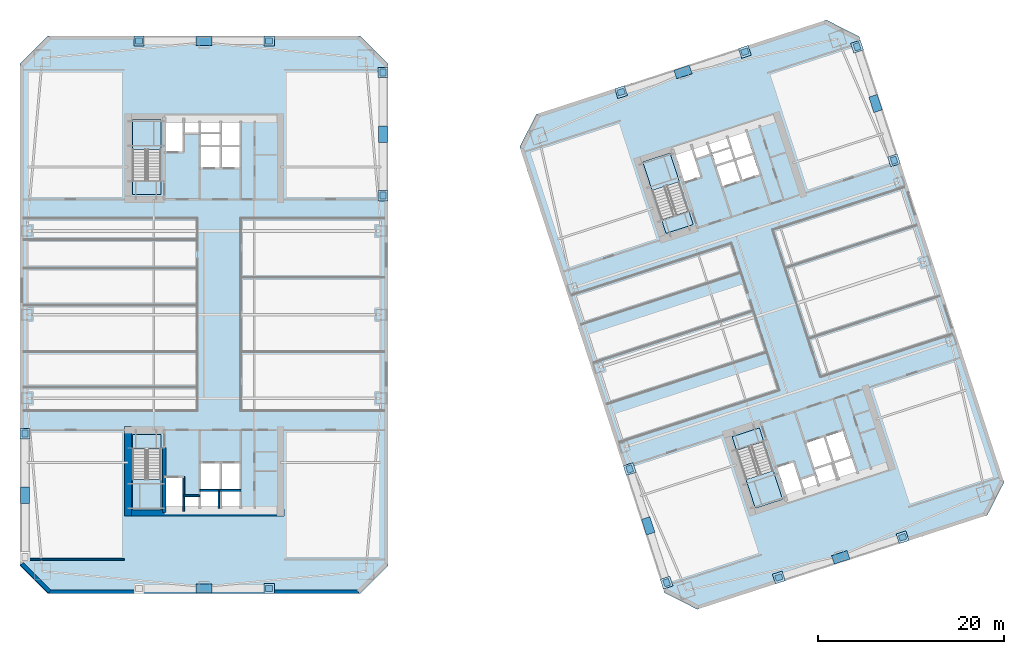
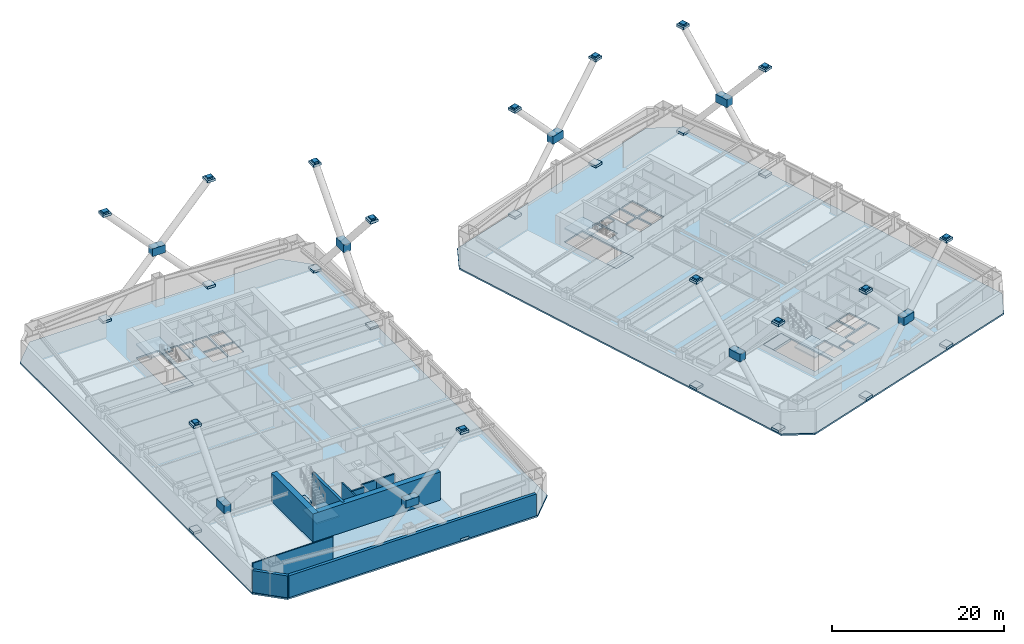
# One storey, part 3 of 18: 50 plates, 10 slabs, 10 walls, 4 elements without a shape of their own.
"""IFC4 building model written with IfcOpenShell, lengths in metres."""

from ifc_helpers import new_model, si_unit, direction, frame, frame_2d, origin, origin_2d, place, context, subcontext, project, spatial, polyline, rectangle, outline, extrude, material, layer, layer_set, type_object, element, aggregate, save


model = new_model("IFC4")

# Units and contexts
model_context = context("Model", 3, precision=1e-05, world=origin(), true_north=direction((0.0, 1.0)))
body_context = subcontext(model_context, "Body", "Model", "MODEL_VIEW")
ifc_project = project(units=[si_unit("LENGTHUNIT", "METRE"), si_unit("AREAUNIT", "SQUARE_METRE"), si_unit("VOLUMEUNIT", "CUBIC_METRE"), si_unit("PLANEANGLEUNIT", "RADIAN"), si_unit("MASSUNIT", "GRAM", prefix="KILO")], contexts=[model_context])

# Site, building, storey
site_placement = place(None, origin())
site = spatial("IfcSite", under=ifc_project, at=site_placement, CompositionType="ELEMENT")
building_placement = place(site_placement, origin())
building = spatial("IfcBuilding", under=site, at=building_placement, Name="Qiaolan Cultural Towers", CompositionType="ELEMENT")
storey_placement = place(building_placement, frame((0.0, 0.0, 42.0)))
storey = spatial("IfcBuildingStorey", under=building, at=storey_placement, Name="L09", CompositionType="ELEMENT", Elevation=42.0)

# Plates
ifc_material_1 = material(Name="Steel Q355B", Category="steel")
ifc_layer_1 = layer(ifc_material_1, 0.035888671875)
ifc_layer_set_1 = layer_set([ifc_layer_1], Name="Steel Q355B")
plate_type_1 = type_object("IfcPlateType", Name="PL-CONN-36", PredefinedType="USERDEFINED", material=ifc_layer_set_1)
for number, where, z_axis, x_axis, name in (
    (1, (10.75, 21.199951171875, 14.830078125), (0.0, 0.0, 1.0), (0.0, 1.0, 0.0), "L09 Brace End Connection Gusset Plate GP-02-0212"),
    (2, (49.25, 60.050048828125, 14.830078125), (0.0, 0.0, 1.0), (0.0, 1.0, 0.0), "L09 Brace End Connection Gusset Plate GP-02-0214"),
    (3, (49.25, 46.800048828125, 14.830078125), (0.0, 0.0, 1.0), (0.0, 1.0, 0.0), "L09 Brace End Connection Gusset Plate GP-02-0215"),
    (4, (37.0, 4.550048828125, 14.830078125), (0.0, 0.0, 1.0), (1.0, 0.0, 0.0), "L09 Brace End Connection Gusset Plate GP-02-0216"),
    (5, (37.0, 63.449951171875, 14.830078125), (0.0, 0.0, 1.0), (1.0, 0.0, 0.0), "L09 Brace End Connection Gusset Plate GP-02-0218"),
    (6, (23.0, 63.449951171875, 14.830078125), (0.0, 0.0, 1.0), (1.0, 0.0, 0.0), "L09 Brace End Connection Gusset Plate GP-02-0219"),
    (7, (75.78564453125, 17.394775390625, 14.830078125), (0.0, 0.0, 1.0), (-0.309016977776, 0.951056521689, 0.0), "L09 Brace End Connection Gusset Plate GP-02-0436"),
    (8, (79.75634765625, 5.173828125, 14.830078125), (0.0, 0.0, 1.0), (-0.309016977776, 0.951056521689, 0.0), "L09 Brace End Connection Gusset Plate GP-02-0437"),
    (9, (100.24365234375, 62.826171875, 14.830078125), (0.0, 0.0, 1.0), (-0.309016977776, 0.951056521689, 0.0), "L09 Brace End Connection Gusset Plate GP-02-0438"),
    (10, (104.21435546875, 50.605224609375, 14.830078125), (0.0, 0.0, 1.0), (-0.309016977776, 0.951056521689, 0.0), "L09 Brace End Connection Gusset Plate GP-02-0439"),
    (11, (105.139892578125, 10.056640625, 14.830078125), (0.0, 0.0, 1.0), (0.951056510902, 0.309017010974, 0.0), "L09 Brace End Connection Gusset Plate GP-02-0440"),
    (12, (91.8251953125, 5.73046875, 14.830078125), (0.0, 0.0, 1.0), (0.951056510902, 0.309017010974, 0.0), "L09 Brace End Connection Gusset Plate GP-02-0441"),
    (13, (88.1748046875, 62.26953125, 14.830078125), (0.0, 0.0, 1.0), (0.951056510902, 0.309017010974, 0.0), "L09 Brace End Connection Gusset Plate GP-02-0442"),
    (14, (74.860107421875, 57.943359375, 14.830078125), (0.0, 0.0, 1.0), (0.951056510902, 0.309017010974, 0.0), "L09 Brace End Connection Gusset Plate GP-02-0443"),
):
    element("IfcPlate", number, at=place(storey_placement, frame(where, z_axis=z_axis, x_axis=x_axis)), inside=storey, type_object=plate_type_1, Name=name, ObjectType="GUSSET_PLATE", PredefinedType="USERDEFINED", context=body_context, shape_type="SweptSolid", body=[
        extrude(rectangle(XDim=0.739990234375, YDim=0.6201171875, at=origin_2d()), origin(), (0.0, 0.0, 1.0), 0.739990234375),
    ])
ifc_material_2 = material(Name="Steel Q355B", Category="steel")
ifc_layer_2 = layer(ifc_material_2, 0.030029296875)
ifc_layer_set_2 = layer_set([ifc_layer_2], Name="Steel Q355B")
plate_type_2 = type_object("IfcPlateType", Name="PL-ENDCAP-30", PredefinedType="USERDEFINED", material=ifc_layer_set_2)
for number, where, z_axis, x_axis, name in (
    (15, (10.75, 21.199951171875, -0.025146484375), (0.0, 0.0, 1.0), (0.0, 1.0, 0.0), "Hollow Brace End Seal Cap Plate CP-01"),
    (16, (10.75, 21.199951171875, 15.02490234375), (0.0, 0.0, 1.0), (0.0, 1.0, 0.0), "Hollow Brace End Seal Cap Plate CP-01"),
    (17, (49.25, 46.800048828125, -0.025146484375), (0.0, 0.0, 1.0), (0.0, 1.0, 0.0), "Hollow Brace End Seal Cap Plate CP-01"),
    (18, (49.25, 60.050048828125, -0.025146484375), (0.0, 0.0, 1.0), (0.0, 1.0, 0.0), "Hollow Brace End Seal Cap Plate CP-01"),
    (19, (49.25, 46.800048828125, 15.02490234375), (0.0, 0.0, 1.0), (0.0, 1.0, 0.0), "Hollow Brace End Seal Cap Plate CP-01"),
    (20, (49.25, 60.050048828125, 15.02490234375), (0.0, 0.0, 1.0), (0.0, 1.0, 0.0), "Hollow Brace End Seal Cap Plate CP-01"),
    (21, (37.0, 4.550048828125, -0.025146484375), (0.0, 0.0, 1.0), (1.0, 0.0, 0.0), "Hollow Brace End Seal Cap Plate CP-01"),
    (22, (37.0, 4.550048828125, 15.02490234375), (0.0, 0.0, 1.0), (1.0, 0.0, 0.0), "Hollow Brace End Seal Cap Plate CP-01"),
    (23, (23.0, 63.449951171875, -0.025146484375), (0.0, 0.0, 1.0), (1.0, 0.0, 0.0), "Hollow Brace End Seal Cap Plate CP-01"),
    (24, (37.0, 63.449951171875, -0.025146484375), (0.0, 0.0, 1.0), (1.0, 0.0, 0.0), "Hollow Brace End Seal Cap Plate CP-01"),
    (25, (23.0, 63.449951171875, 15.02490234375), (0.0, 0.0, 1.0), (1.0, 0.0, 0.0), "Hollow Brace End Seal Cap Plate CP-01"),
    (26, (37.0, 63.449951171875, 15.02490234375), (0.0, 0.0, 1.0), (1.0, 0.0, 0.0), "Hollow Brace End Seal Cap Plate CP-01"),
    (27, (79.75634765625, 5.173828125, -0.025146484375), (0.0, 0.0, 1.0), (-0.309016994375, 0.951056516295, 0.0), "Hollow Brace End Seal Cap Plate CP-01"),
    (28, (75.78564453125, 17.394775390625, -0.025146484375), (0.0, 0.0, 1.0), (-0.309016994375, 0.951056516295, 0.0), "Hollow Brace End Seal Cap Plate CP-01"),
    (29, (79.75634765625, 5.173828125, 15.02490234375), (0.0, 0.0, 1.0), (-0.309016994375, 0.951056516295, 0.0), "Hollow Brace End Seal Cap Plate CP-01"),
    (30, (75.78564453125, 17.394775390625, 15.02490234375), (0.0, 0.0, 1.0), (-0.309016994375, 0.951056516295, 0.0), "Hollow Brace End Seal Cap Plate CP-01"),
    (31, (104.21435546875, 50.605224609375, -0.025146484375), (0.0, 0.0, 1.0), (-0.309016994375, 0.951056516295, 0.0), "Hollow Brace End Seal Cap Plate CP-01"),
    (32, (100.24365234375, 62.826171875, -0.025146484375), (0.0, 0.0, 1.0), (-0.309016994375, 0.951056516295, 0.0), "Hollow Brace End Seal Cap Plate CP-01"),
    (33, (104.21435546875, 50.605224609375, 15.02490234375), (0.0, 0.0, 1.0), (-0.309016994375, 0.951056516295, 0.0), "Hollow Brace End Seal Cap Plate CP-01"),
    (34, (100.24365234375, 62.826171875, 15.02490234375), (0.0, 0.0, 1.0), (-0.309016994375, 0.951056516295, 0.0), "Hollow Brace End Seal Cap Plate CP-01"),
    (35, (91.8251953125, 5.73046875, -0.025146484375), (0.0, 0.0, 1.0), (0.951056516295, 0.309016994375, 0.0), "Hollow Brace End Seal Cap Plate CP-01"),
    (36, (105.139892578125, 10.056640625, -0.025146484375), (0.0, 0.0, 1.0), (0.951056516295, 0.309016994375, 0.0), "Hollow Brace End Seal Cap Plate CP-01"),
    (37, (91.8251953125, 5.73046875, 15.02490234375), (0.0, 0.0, 1.0), (0.951056516295, 0.309016994375, 0.0), "Hollow Brace End Seal Cap Plate CP-01"),
    (38, (105.139892578125, 10.056640625, 15.02490234375), (0.0, 0.0, 1.0), (0.951056516295, 0.309016994375, 0.0), "Hollow Brace End Seal Cap Plate CP-01"),
    (39, (74.860107421875, 57.943359375, -0.025146484375), (0.0, 0.0, 1.0), (0.951056516295, 0.309016994375, 0.0), "Hollow Brace End Seal Cap Plate CP-01"),
    (40, (88.1748046875, 62.26953125, -0.025146484375), (0.0, 0.0, 1.0), (0.951056516295, 0.309016994375, 0.0), "Hollow Brace End Seal Cap Plate CP-01"),
    (41, (74.860107421875, 57.943359375, 15.02490234375), (0.0, 0.0, 1.0), (0.951056516295, 0.309016994375, 0.0), "Hollow Brace End Seal Cap Plate CP-01"),
    (42, (88.1748046875, 62.26953125, 15.02490234375), (0.0, 0.0, 1.0), (0.951056516295, 0.309016994375, 0.0), "Hollow Brace End Seal Cap Plate CP-01"),
):
    element("IfcPlate", number, at=place(storey_placement, frame(where, z_axis=z_axis, x_axis=x_axis)), inside=storey, type_object=plate_type_2, Name=name, ObjectType="BASE_PLATE", PredefinedType="USERDEFINED", context=body_context, shape_type="SweptSolid", body=[
        extrude(rectangle(XDim=1.10009765625, YDim=1.10009765625, at=origin_2d()), origin(), (0.0, 0.0, 1.0), 0.35009765625),
    ])
ifc_material_3 = material(Name="Steel Q390GJB", Category="steel")
ifc_layer_3 = layer(ifc_material_3, 0.0439453125)
ifc_layer_set_3 = layer_set([ifc_layer_3], Name="Steel Q390GJB")
plate_type_3 = type_object("IfcPlateType", Name="PL-NODE-ND02", PredefinedType="USERDEFINED", material=ifc_layer_set_3)
plate_1_placement = place(storey_placement, frame((77.77099609375, 11.2841796875, 7.125), z_axis=(0.0, 0.0, 1.0), x_axis=(-0.309016994375, 0.951056516295, 0.0)))
element("IfcPlate", 43, at=plate_1_placement, inside=storey, type_object=plate_type_3, Name="Perimeter Frame Gusset Node Assembly ND-02", ObjectType="GUSSET_PLATE", PredefinedType="USERDEFINED", context=body_context, shape_type="SweptSolid", body=[
    extrude(rectangle(XDim=1.760009765625, YDim=0.9599609375, at=origin_2d()), origin(), (0.0, 0.0, 1.0), 1.10009765625),
])
ifc_material_4 = material(Name="Steel Q390GJB", Category="steel")
ifc_layer_4 = layer(ifc_material_4, 0.0458984375)
ifc_layer_set_4 = layer_set([ifc_layer_4], Name="Steel Q390GJB")
plate_type_4 = type_object("IfcPlateType", Name="PL-NODE-ND03", PredefinedType="USERDEFINED", material=ifc_layer_set_4)
plate_2_placement = place(storey_placement, frame((102.22900390625, 56.7158203125, 7.125), z_axis=(0.0, 0.0, 1.0), x_axis=(-0.309016994375, 0.951056516295, 0.0)))
element("IfcPlate", 44, at=plate_2_placement, inside=storey, type_object=plate_type_4, Name="Perimeter Frame Gusset Node Assembly ND-03", ObjectType="GUSSET_PLATE", PredefinedType="USERDEFINED", context=body_context, shape_type="SweptSolid", body=[
    extrude(rectangle(XDim=1.760009765625, YDim=0.9599609375, at=origin_2d()), origin(), (0.0, 0.0, 1.0), 1.10009765625),
])
ifc_material_5 = material(Name="Steel Q390GJB", Category="steel")
ifc_layer_5 = layer(ifc_material_5, 0.0400390625)
ifc_layer_set_5 = layer_set([ifc_layer_5], Name="Steel Q390GJB")
plate_type_5 = type_object("IfcPlateType", Name="PL-NODE-ND04", PredefinedType="USERDEFINED", material=ifc_layer_set_5)
plate_3_placement = place(storey_placement, frame((98.482421875, 7.8935546875, 7.125), z_axis=(0.0, 0.0, 1.0), x_axis=(0.951056516295, 0.309016994375, 0.0)))
element("IfcPlate", 45, at=plate_3_placement, inside=storey, type_object=plate_type_5, Name="Perimeter Frame Gusset Node Assembly ND-04", ObjectType="GUSSET_PLATE", PredefinedType="USERDEFINED", context=body_context, shape_type="SweptSolid", body=[
    extrude(rectangle(XDim=1.760009765625, YDim=0.9599609375, at=origin_2d()), origin(), (0.0, 0.0, 1.0), 1.10009765625),
])
ifc_material_6 = material(Name="Steel Q390GJB", Category="steel")
ifc_layer_6 = layer(ifc_material_6, 0.0419921875)
ifc_layer_set_6 = layer_set([ifc_layer_6], Name="Steel Q390GJB")
plate_type_6 = type_object("IfcPlateType", Name="PL-NODE-ND05", PredefinedType="USERDEFINED", material=ifc_layer_set_6)
plate_4_placement = place(storey_placement, frame((81.517578125, 60.1064453125, 7.125), z_axis=(0.0, 0.0, 1.0), x_axis=(0.951056516295, 0.309016994375, 0.0)))
element("IfcPlate", 46, at=plate_4_placement, inside=storey, type_object=plate_type_6, Name="Perimeter Frame Gusset Node Assembly ND-05", ObjectType="GUSSET_PLATE", PredefinedType="USERDEFINED", context=body_context, shape_type="SweptSolid", body=[
    extrude(rectangle(XDim=1.760009765625, YDim=0.9599609375, at=origin_2d()), origin(), (0.0, 0.0, 1.0), 1.10009765625),
])
ifc_material_7 = material(Name="Steel Q390GJB", Category="steel")
ifc_layer_7 = layer(ifc_material_7, 0.0439453125)
ifc_layer_set_7 = layer_set([ifc_layer_7], Name="Steel Q390GJB")
plate_type_7 = type_object("IfcPlateType", Name="PL-NODE-ND06", PredefinedType="USERDEFINED", material=ifc_layer_set_7)
plate_5_placement = place(storey_placement, frame((10.75, 14.574951171875, 7.125), z_axis=(0.0, 0.0, 1.0), x_axis=(0.0, 1.0, 0.0)))
element("IfcPlate", 47, at=plate_5_placement, inside=storey, type_object=plate_type_7, Name="Perimeter Frame Gusset Node Assembly ND-06", ObjectType="GUSSET_PLATE", PredefinedType="USERDEFINED", context=body_context, shape_type="SweptSolid", body=[
    extrude(rectangle(XDim=1.760009765625, YDim=0.9599609375, at=origin_2d()), origin(), (0.0, 0.0, 1.0), 1.10009765625),
])
ifc_material_8 = material(Name="Steel Q390GJB", Category="steel")
ifc_layer_8 = layer(ifc_material_8, 0.0458984375)
ifc_layer_set_8 = layer_set([ifc_layer_8], Name="Steel Q390GJB")
plate_type_8 = type_object("IfcPlateType", Name="PL-NODE-ND07", PredefinedType="USERDEFINED", material=ifc_layer_set_8)
plate_6_placement = place(storey_placement, frame((49.25, 53.425048828125, 7.125), z_axis=(0.0, 0.0, 1.0), x_axis=(0.0, 1.0, 0.0)))
element("IfcPlate", 48, at=plate_6_placement, inside=storey, type_object=plate_type_8, Name="Perimeter Frame Gusset Node Assembly ND-07", ObjectType="GUSSET_PLATE", PredefinedType="USERDEFINED", context=body_context, shape_type="SweptSolid", body=[
    extrude(rectangle(XDim=1.760009765625, YDim=0.9599609375, at=origin_2d()), origin(), (0.0, 0.0, 1.0), 1.10009765625),
])
ifc_material_9 = material(Name="Steel Q390GJB", Category="steel")
ifc_layer_9 = layer(ifc_material_9, 0.0400390625)
ifc_layer_set_9 = layer_set([ifc_layer_9], Name="Steel Q390GJB")
plate_type_9 = type_object("IfcPlateType", Name="PL-NODE-ND08", PredefinedType="USERDEFINED", material=ifc_layer_set_9)
plate_7_placement = place(storey_placement, frame((30.0, 4.550048828125, 7.125), z_axis=(0.0, 0.0, 1.0), x_axis=(1.0, 0.0, 0.0)))
element("IfcPlate", 49, at=plate_7_placement, inside=storey, type_object=plate_type_9, Name="Perimeter Frame Gusset Node Assembly ND-08", ObjectType="GUSSET_PLATE", PredefinedType="USERDEFINED", context=body_context, shape_type="SweptSolid", body=[
    extrude(rectangle(XDim=1.760009765625, YDim=0.9599609375, at=origin_2d()), origin(), (0.0, 0.0, 1.0), 1.10009765625),
])
ifc_material_10 = material(Name="Steel Q390GJB", Category="steel")
ifc_layer_10 = layer(ifc_material_10, 0.0419921875)
ifc_layer_set_10 = layer_set([ifc_layer_10], Name="Steel Q390GJB")
plate_type_10 = type_object("IfcPlateType", Name="PL-NODE-ND09", PredefinedType="USERDEFINED", material=ifc_layer_set_10)
plate_8_placement = place(storey_placement, frame((30.0, 63.449951171875, 7.125), z_axis=(0.0, 0.0, 1.0), x_axis=(1.0, 0.0, 0.0)))
element("IfcPlate", 50, at=plate_8_placement, inside=storey, type_object=plate_type_10, Name="Perimeter Frame Gusset Node Assembly ND-09", ObjectType="GUSSET_PLATE", PredefinedType="USERDEFINED", context=body_context, shape_type="SweptSolid", body=[
    extrude(rectangle(XDim=1.760009765625, YDim=0.9599609375, at=origin_2d()), origin(), (0.0, 0.0, 1.0), 1.10009765625),
])

# Stair, slab
ifc_material_11 = material(Name="Concrete C45", Category="concrete")
stair_type = type_object("IfcStairType", Name="STR-CORE-1500", PredefinedType="HALF_TURN_STAIR", material=ifc_material_11)
stair_1_placement = place(storey_placement, origin())
stair_1 = element("IfcStair", 51, at=stair_1_placement, inside=storey, type_object=stair_type, Name="L09 Smokeproof Exit Stair ST-W1", PredefinedType="HALF_TURN_STAIR")
ifc_material_12 = material(Name="Concrete C45", Category="concrete")
ifc_layer_11 = layer(ifc_material_12, 0.199951171875)
ifc_layer_set_11 = layer_set([ifc_layer_11], Name="Concrete C45")
slab_type_1 = type_object("IfcSlabType", Name="SL-STAIR-LAND", PredefinedType="LANDING", material=ifc_layer_set_11)
slab_1_placement = place(storey_placement, frame((0.0, 0.0, 1.800048828125)))
slab_1 = element("IfcSlab", 52, at=slab_1_placement, type_object=slab_type_1, Name="ST-W1 landing 1", PredefinedType="LANDING", context=body_context, shape_type="SweptSolid", body=[
    extrude(outline(polyline([(22.300048828125, 16.251220703125), (22.300048828125, 13.0), (25.3798828125, 13.0), (25.3798828125, 16.251220703125), (22.300048828125, 16.251220703125)])), origin(), (0.0, 0.0, 1.0), 0.199951171875),
])
aggregate(stair_1, [slab_1])

stair_2_placement = place(storey_placement, origin())
stair_2 = element("IfcStair", 53, at=stair_2_placement, inside=storey, type_object=stair_type, Name="L09 Smokeproof Exit Stair ST-W2", PredefinedType="HALF_TURN_STAIR")
slab_2_placement = place(storey_placement, frame((0.0, 0.0, 1.800048828125)))
slab_2 = element("IfcSlab", 54, at=slab_2_placement, type_object=slab_type_1, Name="ST-W2 landing 1", PredefinedType="LANDING", context=body_context, shape_type="SweptSolid", body=[
    extrude(outline(polyline([(25.3798828125, 51.748779296875), (25.3798828125, 55.0), (22.300048828125, 55.0), (22.300048828125, 51.748779296875), (25.3798828125, 51.748779296875)])), origin(), (0.0, 0.0, 1.0), 0.199951171875),
])
aggregate(stair_2, [slab_2])

stair_3_placement = place(storey_placement, origin())
stair_3 = element("IfcStair", 55, at=stair_3_placement, inside=storey, type_object=stair_type, Name="L09 Smokeproof Exit Stair ST-E1", PredefinedType="HALF_TURN_STAIR")
slab_3_placement = place(storey_placement, frame((0.0, 0.0, 1.800048828125)))
slab_3 = element("IfcSlab", 56, at=slab_3_placement, type_object=slab_type_1, Name="ST-E1 landing 1", PredefinedType="LANDING", context=body_context, shape_type="SweptSolid", body=[
    extrude(outline(polyline([(88.299560546875, 16.25732421875), (89.30419921875, 13.165283203125), (92.2333984375, 14.116943359375), (91.228759765625, 17.209228515625), (88.299560546875, 16.25732421875)])), origin(), (0.0, 0.0, 1.0), 0.199951171875),
])
aggregate(stair_3, [slab_3])

stair_4_placement = place(storey_placement, origin())
stair_4 = element("IfcStair", 57, at=stair_4_placement, inside=storey, type_object=stair_type, Name="L09 Smokeproof Exit Stair ST-E2", PredefinedType="HALF_TURN_STAIR")
slab_4_placement = place(storey_placement, frame((0.0, 0.0, 1.800048828125)))
slab_4 = element("IfcSlab", 58, at=slab_4_placement, type_object=slab_type_1, Name="ST-E2 landing 1", PredefinedType="LANDING", context=body_context, shape_type="SweptSolid", body=[
    extrude(outline(polyline([(81.124755859375, 48.306396484375), (80.1201171875, 51.3984375), (77.190673828125, 50.44677734375), (78.195556640625, 47.3544921875), (81.124755859375, 48.306396484375)])), origin(), (0.0, 0.0, 1.0), 0.199951171875),
])
aggregate(stair_4, [slab_4])

# Slabs
ifc_material_13 = material(Name="Concrete C40", Category="concrete")
ifc_layer_12 = layer(ifc_material_13, 0.360107421875)
ifc_layer_set_12 = layer_set([ifc_layer_12], Name="Concrete C40")
slab_type_2 = type_object("IfcSlabType", Name="SL-STFLR-360", PredefinedType="LANDING", material=ifc_layer_set_12)
slab_5_placement = place(storey_placement, frame((0.0, 0.0, -0.360107421875)))
element("IfcSlab", 59, at=slab_5_placement, inside=storey, type_object=slab_type_2, Name="L09 ST-W1 Stair Floor Landing Slab", PredefinedType="LANDING", context=body_context, shape_type="SweptSolid", body=[
    extrude(outline(polyline([(22.302001953125, 21.097900390625), (22.302001953125, 19.548583984375), (25.3779296875, 19.548583984375), (25.3779296875, 21.097900390625), (22.302001953125, 21.097900390625)])), origin(), (0.0, 0.0, 1.0), 0.360107421875),
])
slab_6_placement = place(storey_placement, frame((0.0, 0.0, -0.360107421875)))
element("IfcSlab", 60, at=slab_6_placement, inside=storey, type_object=slab_type_2, Name="L09 ST-W2 Stair Floor Landing Slab", PredefinedType="LANDING", context=body_context, shape_type="SweptSolid", body=[
    extrude(outline(polyline([(25.3779296875, 46.902099609375), (25.3779296875, 48.451416015625), (22.302001953125, 48.451416015625), (22.302001953125, 46.902099609375), (25.3779296875, 46.902099609375)])), origin(), (0.0, 0.0, 1.0), 0.360107421875),
])
slab_7_placement = place(storey_placement, frame((0.0, 0.0, -0.360107421875)))
element("IfcSlab", 61, at=slab_7_placement, inside=storey, type_object=slab_type_2, Name="L09 ST-E1 Stair Floor Landing Slab", PredefinedType="LANDING", context=body_context, shape_type="SweptSolid", body=[
    extrude(outline(polyline([(86.8037109375, 20.867431640625), (87.282470703125, 19.39404296875), (90.2080078125, 20.3447265625), (89.729248046875, 21.818115234375), (86.8037109375, 20.867431640625)])), origin(), (0.0, 0.0, 1.0), 0.360107421875),
])
slab_8_placement = place(storey_placement, frame((0.0, 0.0, -0.360107421875)))
element("IfcSlab", 62, at=slab_8_placement, inside=storey, type_object=slab_type_2, Name="L09 ST-E2 Stair Floor Landing Slab", PredefinedType="LANDING", context=body_context, shape_type="SweptSolid", body=[
    extrude(outline(polyline([(82.62060546875, 43.6962890625), (82.141845703125, 45.169677734375), (79.21630859375, 44.21923828125), (79.695068359375, 42.74560546875), (82.62060546875, 43.6962890625)])), origin(), (0.0, 0.0, 1.0), 0.360107421875),
])
ifc_material_14 = material(Name="Concrete C45", Category="concrete")
ifc_layer_13 = layer(ifc_material_14, 0.219970703125)
ifc_layer_set_13 = layer_set([ifc_layer_13], Name="Concrete C45")
slab_type_3 = type_object("IfcSlabType", Name="SL-TYP-220", PredefinedType="FLOOR", material=ifc_layer_set_13)
slab_9_placement = place(storey_placement, frame((0.0, 0.0, -0.219970703125)))
element("IfcSlab", 63, at=slab_9_placement, inside=storey, type_object=slab_type_3, Name="L09 West Tower Floor Slab", PredefinedType="FLOOR", context=body_context, shape_type="SweptSolid", body=[
    extrude(outline(polyline([(13.199951171875, 4.0), (46.800048828125, 4.0), (49.800048828125, 7.0), (49.800048828125, 61.0), (46.800048828125, 64.0), (13.199951171875, 64.0), (10.199951171875, 61.0), (10.199951171875, 7.0), (13.199951171875, 4.0)]), holes=[polyline([(22.300048828125, 21.10009765625), (22.300048828125, 13.0), (25.3798828125, 13.0), (25.3798828125, 21.10009765625), (22.300048828125, 21.10009765625)]), polyline([(25.3798828125, 46.89990234375), (25.3798828125, 55.0), (22.300048828125, 55.0), (22.300048828125, 46.89990234375), (25.3798828125, 46.89990234375)]), polyline([(25.89990234375, 13.199951171875), (27.75, 13.199951171875), (27.75, 16.449951171875), (25.89990234375, 16.449951171875), (25.89990234375, 13.199951171875)]), polyline([(27.93994140625, 13.25), (29.449951171875, 13.25), (29.449951171875, 14.419921875), (27.93994140625, 14.419921875), (27.93994140625, 13.25)]), polyline([(29.679931640625, 15.199951171875), (31.679931640625, 15.199951171875), (31.679931640625, 18.0), (29.679931640625, 18.0), (29.679931640625, 15.199951171875)]), polyline([(31.8798828125, 15.199951171875), (33.820068359375, 15.199951171875), (33.820068359375, 18.0), (31.8798828125, 18.0), (31.8798828125, 15.199951171875)]), polyline([(29.679931640625, 13.25), (33.820068359375, 13.25), (33.820068359375, 14.97998046875), (29.679931640625, 14.97998046875), (29.679931640625, 13.25)]), polyline([(25.89990234375, 51.550048828125), (27.75, 51.550048828125), (27.75, 54.800048828125), (25.89990234375, 54.800048828125), (25.89990234375, 51.550048828125)]), polyline([(27.93994140625, 53.580078125), (29.449951171875, 53.580078125), (29.449951171875, 54.75), (27.93994140625, 54.75), (27.93994140625, 53.580078125)]), polyline([(29.679931640625, 49.820068359375), (31.679931640625, 49.820068359375), (31.679931640625, 52.080078125), (29.679931640625, 52.080078125), (29.679931640625, 49.820068359375)]), polyline([(31.8798828125, 49.820068359375), (33.820068359375, 49.820068359375), (33.820068359375, 52.080078125), (31.8798828125, 52.080078125), (31.8798828125, 49.820068359375)]), polyline([(29.679931640625, 52.27001953125), (31.659912109375, 52.27001953125), (31.659912109375, 54.75), (29.679931640625, 54.75), (29.679931640625, 52.27001953125)]), polyline([(31.8798828125, 52.27001953125), (33.820068359375, 52.27001953125), (33.820068359375, 54.75), (31.8798828125, 54.75), (31.8798828125, 52.27001953125)])]), origin(), (0.0, 0.0, 1.0), 0.219970703125),
])
slab_10_placement = place(storey_placement, frame((0.0, 0.0, -0.219970703125)))
element("IfcSlab", 64, at=slab_10_placement, inside=storey, type_object=slab_type_3, Name="L09 East Tower Floor Slab", PredefinedType="FLOOR", context=body_context, shape_type="SweptSolid", body=[
    extrude(outline(polyline([(83.05517578125, 2.302490234375), (114.249755859375, 12.438232421875), (116.047607421875, 15.966552734375), (100.47314453125, 63.899658203125), (96.94482421875, 65.697509765625), (65.750244140625, 55.561767578125), (63.952392578125, 52.033447265625), (79.52685546875, 4.100341796875), (83.05517578125, 2.302490234375)]), holes=[polyline([(86.80126953125, 20.868896484375), (89.30419921875, 13.165283203125), (92.2333984375, 14.116943359375), (89.73046875, 21.820556640625), (86.80126953125, 20.868896484375)]), polyline([(82.623046875, 43.69482421875), (80.1201171875, 51.3984375), (77.190673828125, 50.44677734375), (79.69384765625, 42.7431640625), (82.623046875, 43.69482421875)]), polyline([(92.666259765625, 14.468017578125), (94.42578125, 15.03955078125), (93.42138671875, 18.130615234375), (91.661865234375, 17.558837890625), (92.666259765625, 14.468017578125)]), polyline([(94.5908203125, 15.14599609375), (96.027099609375, 15.612548828125), (95.66552734375, 16.725341796875), (94.2294921875, 16.258544921875), (94.5908203125, 15.14599609375)]), polyline([(95.643310546875, 17.5380859375), (97.54541015625, 18.15625), (96.68017578125, 20.819091796875), (94.77783203125, 20.201171875), (95.643310546875, 17.5380859375)]), polyline([(97.735595703125, 18.218017578125), (99.58056640625, 18.8173828125), (98.71533203125, 21.48046875), (96.870361328125, 20.880859375), (97.735595703125, 18.218017578125)]), polyline([(96.245849609375, 15.68359375), (100.18310546875, 16.962890625), (99.6484375, 18.608154296875), (95.711181640625, 17.328857421875), (96.245849609375, 15.68359375)]), polyline([(81.6806640625, 48.278076171875), (83.440185546875, 48.849609375), (82.435791015625, 51.940673828125), (80.67626953125, 51.368896484375), (81.6806640625, 48.278076171875)]), polyline([(82.993408203125, 50.839111328125), (84.4296875, 51.3056640625), (84.068115234375, 52.41845703125), (82.632080078125, 51.95166015625), (82.993408203125, 50.839111328125)]), polyline([(85.810302734375, 47.80078125), (87.71240234375, 48.418701171875), (87.013916015625, 50.568115234375), (85.11181640625, 49.9501953125), (85.810302734375, 47.80078125)]), polyline([(87.902587890625, 48.480712890625), (89.74755859375, 49.080078125), (89.04931640625, 51.2294921875), (87.2041015625, 50.6298828125), (87.902587890625, 48.480712890625)]), polyline([(85.05322265625, 50.130859375), (86.936279296875, 50.74267578125), (86.169921875, 53.101318359375), (84.286865234375, 52.489501953125), (85.05322265625, 50.130859375)]), polyline([(87.1455078125, 50.810791015625), (88.990478515625, 51.41015625), (88.22412109375, 53.768798828125), (86.379150390625, 53.169189453125), (87.1455078125, 50.810791015625)])]), origin(), (0.0, 0.0, 1.0), 0.219970703125),
])

# Walls
ifc_material_15 = material(Name="Concrete C50", Category="concrete")
ifc_layer_14 = layer(ifc_material_15, 0.35009765625)
ifc_layer_set_14 = layer_set([ifc_layer_14], Name="Concrete C50")
wall_type_1 = type_object("IfcWallType", Name="WL-CORE-350", PredefinedType="SHEAR", material=ifc_layer_set_14)
wall_1_placement = place(storey_placement, frame((25.719970703125, 19.699951171875, 0.0), z_axis=(0.0, 0.0, 1.0), x_axis=(0.0, -1.0, 0.0)))
element("IfcWall", 65, at=wall_1_placement, inside=storey, type_object=wall_type_1, Name="L09 T1-CS Stair Core Dividing Web", PredefinedType="SHEAR", context=body_context, shape_type="SweptSolid", body=[
    extrude(rectangle(XDim=6.97998046875, YDim=0.35009765625, at=frame_2d((3.489990234375, 0.0))), origin(), (0.0, 0.0, 1.0), 4.0),
])
ifc_material_16 = material(Name="Concrete C60", Category="concrete")
ifc_layer_15 = layer(ifc_material_16, 0.75)
ifc_layer_set_15 = layer_set([ifc_layer_15], Name="Concrete C60")
wall_type_2 = type_object("IfcWallType", Name="WL-CORE-750", PredefinedType="SHEAR", material=ifc_layer_set_15)
wall_2_placement = place(storey_placement, frame((21.425048828125, 12.719970703125, 0.0), z_axis=(0.0, 0.0, 1.0), x_axis=(1.0, 0.0, 0.0)))
element("IfcWall", 66, at=wall_2_placement, inside=storey, type_object=wall_type_2, Name="L09 T1-CS Outer Core Shear Wall", PredefinedType="SHEAR", context=body_context, shape_type="SweptSolid", body=[
    extrude(rectangle(XDim=17.14990234375, YDim=0.75, at=frame_2d((8.574951171875, 0.0))), origin(), (0.0, 0.0, 1.0), 4.0),
])
wall_3_placement = place(storey_placement, frame((21.800048828125, 21.97509765625, 0.0), z_axis=(0.0, 0.0, 1.0), x_axis=(0.0, -1.0, 0.0)))
element("IfcWall", 67, at=wall_3_placement, inside=storey, type_object=wall_type_2, Name="L09 T1-CS West Core Shear Wall", PredefinedType="SHEAR", context=body_context, shape_type="SweptSolid", body=[
    extrude(rectangle(XDim=9.630126953125, YDim=0.75, at=frame_2d((4.81494140625, 0.0))), origin(), (0.0, 0.0, 1.0), 4.0),
])
ifc_material_17 = material(Name="Precast Concrete C50 Honed Stone Pier", Category="masonry")
ifc_layer_16 = layer(ifc_material_17, 0.39990234375)
ifc_layer_set_16 = layer_set([ifc_layer_16], Name="Precast Concrete C50 Honed Stone Pier")
wall_type_3 = type_object("IfcWallType", Name="WL-EXT-PIER-400", PredefinedType="SOLIDWALL", material=ifc_layer_set_16)
wall_4_placement = place(storey_placement, frame((46.60009765625, 4.199951171875, 0.0), z_axis=(0.0, 0.0, 1.0), x_axis=(-1.0, 0.0, 0.0)))
element("IfcWall", 68, at=wall_4_placement, inside=storey, type_object=wall_type_3, Name="L09 West Tower Precast Pier Facade Wall F7", PredefinedType="SOLIDWALL", context=body_context, shape_type="SweptSolid", body=[
    extrude(rectangle(XDim=33.2001953125, YDim=0.39990234375, at=frame_2d((16.60009765625, 0.0))), origin(), (0.0, 0.0, 1.0), 3.10009765625),
])
wall_5_placement = place(storey_placement, frame((13.39990234375, 4.199951171875, 0.0), z_axis=(0.0, 0.0, 1.0), x_axis=(-0.707106781187, 0.707106781187, 0.0)))
element("IfcWall", 69, at=wall_5_placement, inside=storey, type_object=wall_type_3, Name="L09 West Tower Precast Pier Facade Wall F8", PredefinedType="SOLIDWALL", context=body_context, shape_type="SweptSolid", body=[
    extrude(rectangle(XDim=4.24267578125, YDim=0.39990234375, at=frame_2d((2.121337890625, 0.0))), origin(), (0.0, 0.0, 1.0), 3.10009765625),
])
ifc_material_18 = material(Name="Concrete C35 Fire Wall", Category="concrete")
ifc_layer_17 = layer(ifc_material_18, 0.199951171875)
ifc_layer_set_17 = layer_set([ifc_layer_17], Name="Concrete C35 Fire Wall")
wall_type_4 = type_object("IfcWallType", Name="WL-FIRE-200", PredefinedType="PARTITIONING", material=ifc_layer_set_17)
wall_6_placement = place(storey_placement, frame((27.820068359375, 16.550048828125, 0.0), z_axis=(0.0, 0.0, 1.0), x_axis=(0.0, -1.0, 0.0)))
element("IfcWall", 70, at=wall_6_placement, inside=storey, type_object=wall_type_4, Name="L09 T1-CS Firefighting Hoistway East Wall", PredefinedType="PARTITIONING", context=body_context, shape_type="SweptSolid", body=[
    extrude(rectangle(XDim=3.699951171875, YDim=0.199951171875, at=frame_2d((1.85009765625, 0.0))), origin(), (0.0, 0.0, 1.0), 3.705078125),
])
wall_7_placement = place(storey_placement, frame((27.820068359375, 14.52001953125, 0.0), z_axis=(0.0, 0.0, 1.0), x_axis=(1.0, 0.0, 0.0)))
element("IfcWall", 71, at=wall_7_placement, inside=storey, type_object=wall_type_4, Name="L09 T1-CS Pressurization Shaft Front Wall", PredefinedType="PARTITIONING", context=body_context, shape_type="SweptSolid", body=[
    extrude(rectangle(XDim=1.72998046875, YDim=0.199951171875, at=frame_2d((0.864990234375, 0.0))), origin(), (0.0, 0.0, 1.0), 3.705078125),
])
wall_8_placement = place(storey_placement, frame((29.550048828125, 15.10009765625, 0.0), z_axis=(0.0, 0.0, 1.0), x_axis=(1.0, 0.0, 0.0)))
element("IfcWall", 72, at=wall_8_placement, inside=storey, type_object=wall_type_4, Name="L09 T1-CS Passenger Lift Shaft Back Wall", PredefinedType="PARTITIONING", context=body_context, shape_type="SweptSolid", body=[
    extrude(rectangle(XDim=4.39990234375, YDim=0.199951171875, at=frame_2d((2.199951171875, 0.0))), origin(), (0.0, 0.0, 1.0), 3.705078125),
])
ifc_material_19 = material(Name="Autoclaved Aerated Concrete Block B06", Category="concrete")
ifc_layer_18 = layer(ifc_material_19, 0.14990234375)
ifc_layer_set_18 = layer_set([ifc_layer_18], Name="Autoclaved Aerated Concrete Block B06")
wall_type_5 = type_object("IfcWallType", Name="WL-PART-150", PredefinedType="PARTITIONING", material=ifc_layer_set_18)
wall_9_placement = place(storey_placement, frame((31.60009765625, 15.050048828125, 0.0), z_axis=(0.0, 0.0, 1.0), x_axis=(0.0, -1.0, 0.0)))
element("IfcWall", 73, at=wall_9_placement, inside=storey, type_object=wall_type_5, Name="L09 T1-CS Core Rear Split Wall", PredefinedType="PARTITIONING", context=body_context, shape_type="SweptSolid", body=[
    extrude(rectangle(XDim=1.880126953125, YDim=0.14990234375, at=frame_2d((0.93994140625, 0.0))), origin(), (0.0, 0.0, 1.0), 3.705078125),
])
wall_10_placement = place(storey_placement, frame((10.60009765625, 7.64990234375, 0.0), z_axis=(0.0, 0.0, 1.0), x_axis=(1.0, 0.0, 0.0)))
element("IfcWall", 74, at=wall_10_placement, inside=storey, type_object=wall_type_5, Name="L09 T1 Flank Wall FLK-SW", PredefinedType="PARTITIONING", context=body_context, shape_type="SweptSolid", body=[
    extrude(rectangle(XDim=10.7998046875, YDim=0.14990234375, at=frame_2d((5.39990234375, 0.0))), origin(), (0.0, 0.0, 1.0), 3.705078125),
])

save(model, "model.ifc")
